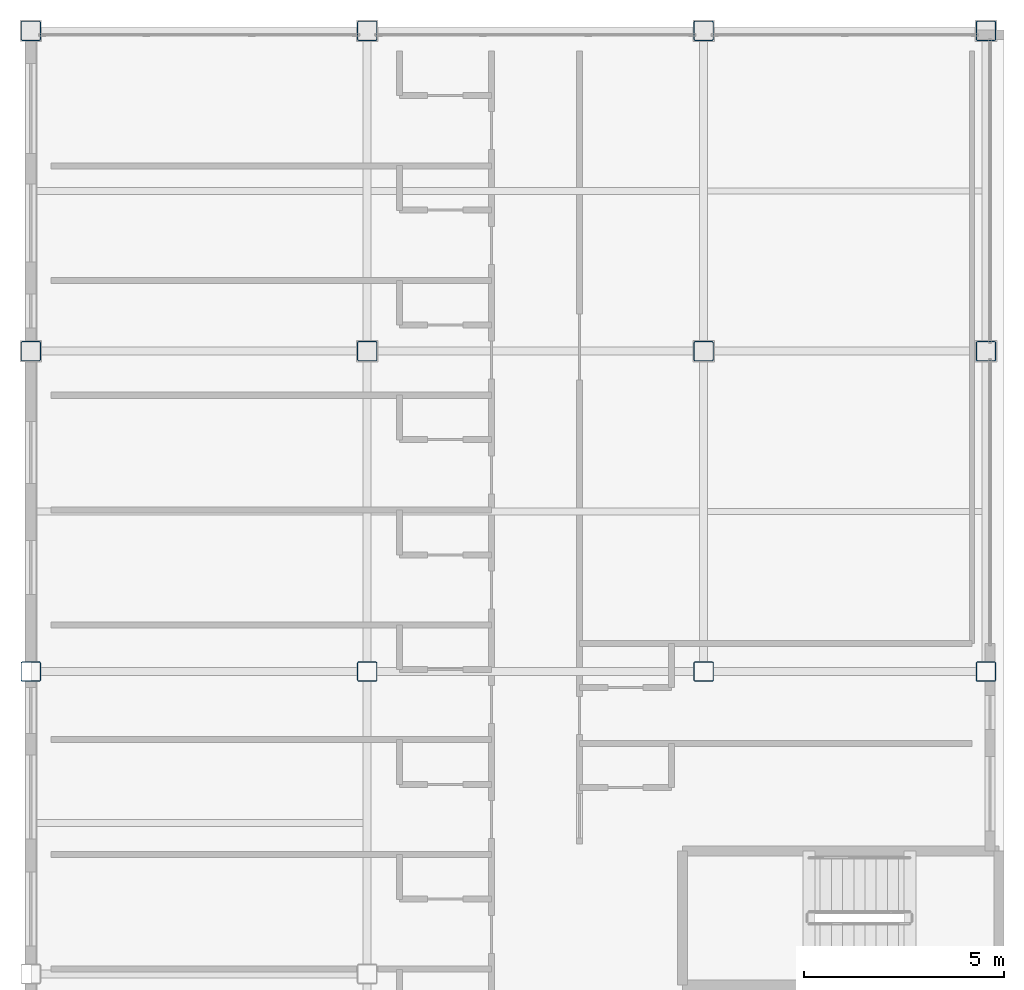
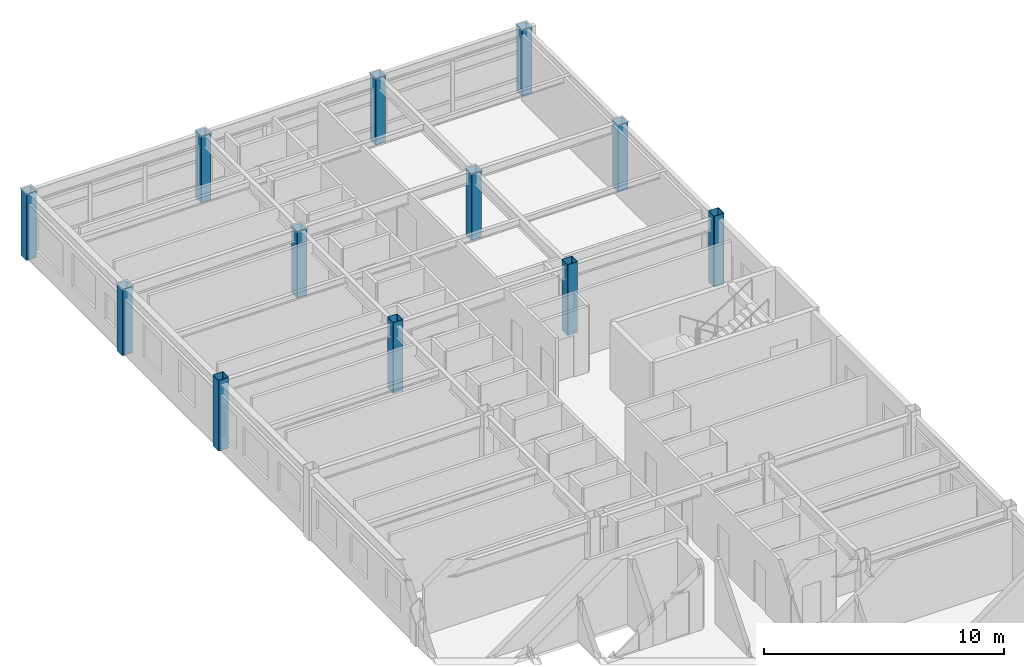
# One storey, part 2 of 33: 12 columns.
"""IFC4 building model written with IfcOpenShell, lengths in metres."""

from ifc_helpers import new_model, si_unit, direction, frame, origin, origin_2d, place, context, subcontext, project, spatial, hollow_rectangle, extrude, material, material_profile, profile_set, type_object, element, save


model = new_model("IFC4")

# Units and contexts
model_context = context("Model", 3, precision=1e-05, world=origin(), true_north=direction((0.0, 1.0)))
body_context = subcontext(model_context, "Body", "Model", "MODEL_VIEW")
ifc_project = project(units=[si_unit("LENGTHUNIT", "METRE"), si_unit("AREAUNIT", "SQUARE_METRE"), si_unit("VOLUMEUNIT", "CUBIC_METRE"), si_unit("PLANEANGLEUNIT", "RADIAN"), si_unit("MASSUNIT", "GRAM", prefix="KILO")], contexts=[model_context])

# Site, building, storey
site_placement = place(None, origin())
site = spatial("IfcSite", under=ifc_project, at=site_placement, CompositionType="ELEMENT")
building_placement = place(site_placement, origin())
building = spatial("IfcBuilding", under=site, at=building_placement, Name="Kazehara Bluff Congress Hotel", CompositionType="ELEMENT")
storey_placement = place(building_placement, frame((0.0, 0.0, 39.0)))
storey = spatial("IfcBuildingStorey", under=building, at=storey_placement, Name="L09", CompositionType="ELEMENT", Elevation=39.0)

# Columns
ifc_material = material(Name="Steel BCR295", Category="steel")
ifc_material_profile = material_profile(ifc_material, hollow_rectangle(XDim=0.5, YDim=0.5, WallThickness=0.02197265625, InnerFilletRadius=0.02197265625, OuterFilletRadius=0.0439453125, at=origin_2d()))
ifc_profile_set = profile_set([ifc_material_profile], Name="Steel BCR295")
column_type = type_object("IfcColumnType", Name="TP-C-07", PredefinedType="COLUMN", material=ifc_profile_set)
column_1_placement = place(storey_placement, frame((143.699951171875, 80.89990234375, 0.0), z_axis=(0.0, 0.0, 1.0), x_axis=(1.0, 0.0, 0.0)))
element("IfcColumn", 1, at=column_1_placement, inside=storey, type_object=column_type, Name="L09 column C-07 (143.70,80.90)", PredefinedType="COLUMN", context=body_context, shape_type="SweptSolid", body=[
    extrude(hollow_rectangle(XDim=0.5, YDim=0.5, WallThickness=0.02197265625, InnerFilletRadius=0.02197265625, OuterFilletRadius=0.0439453125, at=origin_2d()), origin(), (0.0, 0.0, 1.0), 3.60009765625),
])
for number, where, z_axis, x_axis, name in (
    (2, (143.699951171875, 88.89990234375, 0.0), (0.0, 0.0, 1.0), (1.0, 0.0, 0.0), "L09 column C-07 (143.70,88.90)"),
    (3, (143.699951171875, 96.89990234375, 0.0), (0.0, 0.0, 1.0), (1.0, 0.0, 0.0), "L09 column C-07 (143.70,96.90)"),
):
    element("IfcColumn", number, at=place(storey_placement, frame(where, z_axis=z_axis, x_axis=x_axis)), inside=storey, type_object=column_type, Name=name, PredefinedType="COLUMN", context=body_context, shape_type="SweptSolid", body=[
        extrude(hollow_rectangle(XDim=0.5, YDim=0.5, WallThickness=0.02197265625, InnerFilletRadius=0.02197265625, OuterFilletRadius=0.0439453125, at=origin_2d()), origin(), (0.0, 0.0, 1.0), 3.3798828125),
    ])
column_2_placement = place(storey_placement, frame((152.10009765625, 80.89990234375, 0.0), z_axis=(0.0, 0.0, 1.0), x_axis=(1.0, 0.0, 0.0)))
element("IfcColumn", 4, at=column_2_placement, inside=storey, type_object=column_type, Name="L09 column C-07 (152.10,80.90)", PredefinedType="COLUMN", context=body_context, shape_type="SweptSolid", body=[
    extrude(hollow_rectangle(XDim=0.5, YDim=0.5, WallThickness=0.02197265625, InnerFilletRadius=0.02197265625, OuterFilletRadius=0.0439453125, at=origin_2d()), origin(), (0.0, 0.0, 1.0), 3.60009765625),
])
for number, where, z_axis, x_axis, name in (
    (5, (152.10009765625, 88.89990234375, 0.0), (0.0, 0.0, 1.0), (1.0, 0.0, 0.0), "L09 column C-07 (152.10,88.90)"),
    (6, (152.10009765625, 96.89990234375, 0.0), (0.0, 0.0, 1.0), (1.0, 0.0, 0.0), "L09 column C-07 (152.10,96.90)"),
):
    element("IfcColumn", number, at=place(storey_placement, frame(where, z_axis=z_axis, x_axis=x_axis)), inside=storey, type_object=column_type, Name=name, PredefinedType="COLUMN", context=body_context, shape_type="SweptSolid", body=[
        extrude(hollow_rectangle(XDim=0.5, YDim=0.5, WallThickness=0.02197265625, InnerFilletRadius=0.02197265625, OuterFilletRadius=0.0439453125, at=origin_2d()), origin(), (0.0, 0.0, 1.0), 3.3798828125),
    ])
column_3_placement = place(storey_placement, frame((160.5, 80.89990234375, 0.0), z_axis=(0.0, 0.0, 1.0), x_axis=(1.0, 0.0, 0.0)))
element("IfcColumn", 7, at=column_3_placement, inside=storey, type_object=column_type, Name="L09 column C-07 (160.50,80.90)", PredefinedType="COLUMN", context=body_context, shape_type="SweptSolid", body=[
    extrude(hollow_rectangle(XDim=0.5, YDim=0.5, WallThickness=0.02197265625, InnerFilletRadius=0.02197265625, OuterFilletRadius=0.0439453125, at=origin_2d()), origin(), (0.0, 0.0, 1.0), 3.60009765625),
])
for number, where, z_axis, x_axis, name in (
    (8, (160.5, 88.89990234375, 0.0), (0.0, 0.0, 1.0), (1.0, 0.0, 0.0), "L09 column C-07 (160.50,88.90)"),
    (9, (160.5, 96.89990234375, 0.0), (0.0, 0.0, 1.0), (1.0, 0.0, 0.0), "L09 column C-07 (160.50,96.90)"),
):
    element("IfcColumn", number, at=place(storey_placement, frame(where, z_axis=z_axis, x_axis=x_axis)), inside=storey, type_object=column_type, Name=name, PredefinedType="COLUMN", context=body_context, shape_type="SweptSolid", body=[
        extrude(hollow_rectangle(XDim=0.5, YDim=0.5, WallThickness=0.02197265625, InnerFilletRadius=0.02197265625, OuterFilletRadius=0.0439453125, at=origin_2d()), origin(), (0.0, 0.0, 1.0), 3.3798828125),
    ])
column_4_placement = place(storey_placement, frame((167.550048828125, 80.89990234375, 0.0), z_axis=(0.0, 0.0, 1.0), x_axis=(1.0, 0.0, 0.0)))
element("IfcColumn", 10, at=column_4_placement, inside=storey, type_object=column_type, Name="L09 column C-07 (167.55,80.90)", PredefinedType="COLUMN", context=body_context, shape_type="SweptSolid", body=[
    extrude(hollow_rectangle(XDim=0.5, YDim=0.5, WallThickness=0.02197265625, InnerFilletRadius=0.02197265625, OuterFilletRadius=0.0439453125, at=origin_2d()), origin(), (0.0, 0.0, 1.0), 3.60009765625),
])
for number, where, z_axis, x_axis, name in (
    (11, (167.550048828125, 88.89990234375, 0.0), (0.0, 0.0, 1.0), (1.0, 0.0, 0.0), "L09 column C-07 (167.55,88.90)"),
    (12, (167.550048828125, 96.89990234375, 0.0), (0.0, 0.0, 1.0), (1.0, 0.0, 0.0), "L09 column C-07 (167.55,96.90)"),
):
    element("IfcColumn", number, at=place(storey_placement, frame(where, z_axis=z_axis, x_axis=x_axis)), inside=storey, type_object=column_type, Name=name, PredefinedType="COLUMN", context=body_context, shape_type="SweptSolid", body=[
        extrude(hollow_rectangle(XDim=0.5, YDim=0.5, WallThickness=0.02197265625, InnerFilletRadius=0.02197265625, OuterFilletRadius=0.0439453125, at=origin_2d()), origin(), (0.0, 0.0, 1.0), 3.3798828125),
    ])

save(model, "model.ifc")
